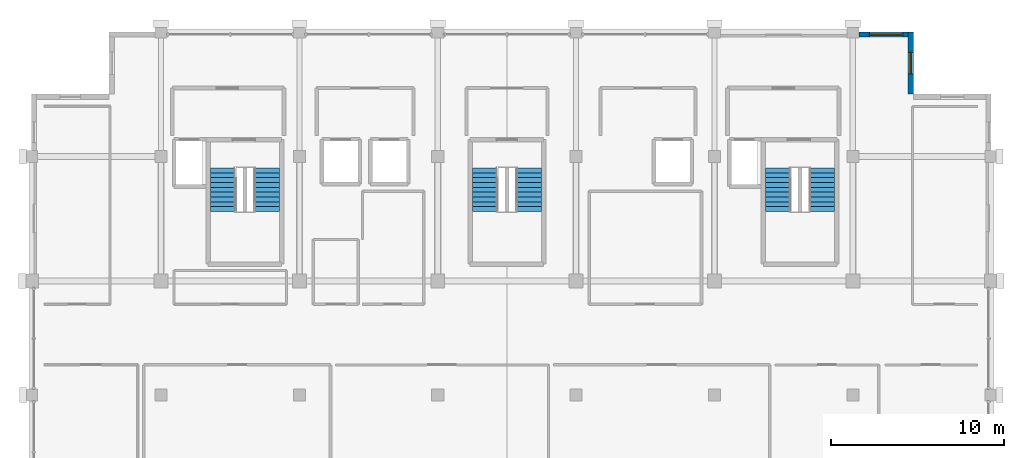
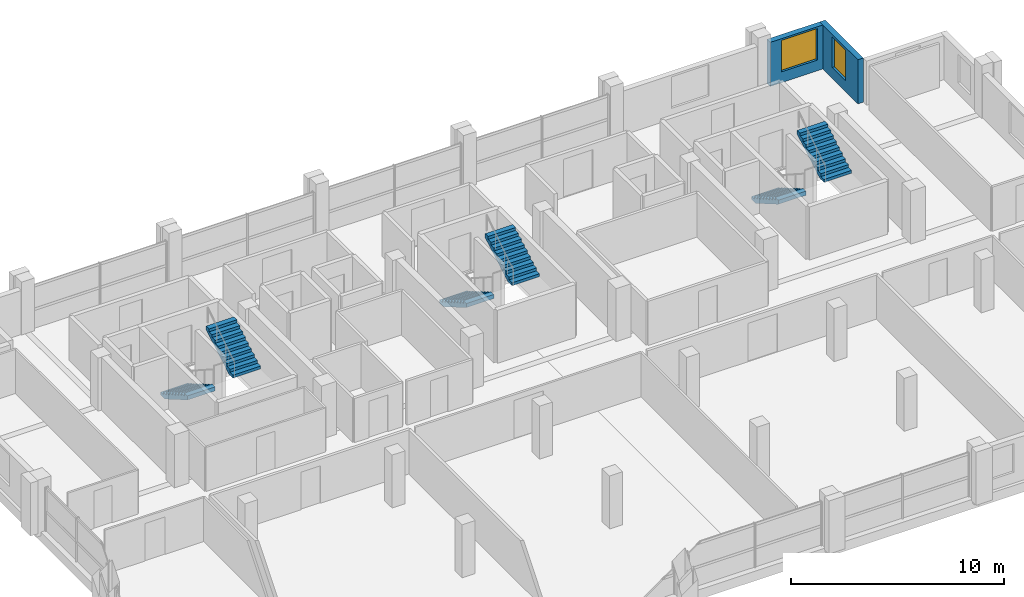
# One storey, part 23 of 24: 6 stair flights, 2 walls, 2 windows, 2 openings, 3 elements without a shape of their own.
"""IFC4 building model written with IfcOpenShell, lengths in metres."""

from ifc_helpers import new_model, si_unit, direction, frame, frame_2d, origin, place, context, subcontext, project, spatial, polyline, rectangle, outline, extrude, material, layer, layer_set, type_object, element, fill, aggregate, save


model = new_model("IFC4")

# Units and contexts
model_context = context("Model", 3, precision=1e-05, world=origin(), true_north=direction((0.0, 1.0)))
body_context = subcontext(model_context, "Body", "Model", "MODEL_VIEW")
ifc_project = project(units=[si_unit("LENGTHUNIT", "METRE"), si_unit("AREAUNIT", "SQUARE_METRE"), si_unit("VOLUMEUNIT", "CUBIC_METRE"), si_unit("PLANEANGLEUNIT", "RADIAN"), si_unit("MASSUNIT", "GRAM", prefix="KILO")], contexts=[model_context])

# Site, building, storey
site_placement = place(None, origin())
site = spatial("IfcSite", under=ifc_project, at=site_placement, CompositionType="ELEMENT")
building_placement = place(site_placement, origin())
building = spatial("IfcBuilding", under=site, at=building_placement, Name="Akrevak Sports Hall", CompositionType="ELEMENT")
storey_placement = place(building_placement, frame((0.0, 0.0, 60.050048828125)))
storey = spatial("IfcBuildingStorey", under=building, at=storey_placement, Name="L15", CompositionType="ELEMENT", Elevation=60.050048828125)

# Wall, opening, window
ifc_material_1 = material(Name="Limestone Ashlar", Category="stone")
ifc_layer_1 = layer(ifc_material_1, 0.06005859375, Name="Limestone Ashlar")
ifc_material_2 = material(Name="Mineral Wool Thermal Insulation", Category="insulation")
ifc_layer_2 = layer(ifc_material_2, 0.090087890625, Name="Mineral Wool Thermal Insulation")
ifc_material_3 = material(Name="Concrete C40/50", Category="concrete")
ifc_layer_3 = layer(ifc_material_3, 0.14990234375, Name="Concrete C40/50")
ifc_layer_set = layer_set([ifc_layer_1, ifc_layer_2, ifc_layer_3], Name="Limestone Ashlar / Mineral Wool Thermal Insulation / Concrete C40/50")
wall_type = type_object("IfcWallType", Name="ARC-WL-EXT-300", PredefinedType="SOLIDWALL", material=ifc_layer_set)
wall_1_placement = place(storey_placement, frame((103.35009765625, 66.0, 0.0), z_axis=(0.0, 0.0, 1.0), x_axis=(0.0, 1.0, 0.0)))
wall_1 = element("IfcWall", 1, at=wall_1_placement, inside=storey, type_object=wall_type, Name="Tower Stone Facade Wall L15-E16", PredefinedType="SOLIDWALL", context=body_context, shape_type="SweptSolid", body=[
    extrude(rectangle(XDim=3.60009765625, YDim=0.300048828125, at=frame_2d((1.800048828125, 0.0))), origin(), (0.0, 0.0, 1.0), 2.530029296875),
])
opening_1_placement = place(wall_1_placement, frame((1.175048828125, 0.0, 0.6201171875)))
opening_1 = element("IfcOpeningElement", 2, at=opening_1_placement, cuts=wall_1, Name="Opening WN-20", PredefinedType="OPENING", context=body_context, shape_type="SweptSolid", body=[
    extrude(rectangle(XDim=1.25, YDim=1.75, at=frame_2d((0.625, 0.875))), frame((0.0, 0.162109375, 0.0), z_axis=(0.0, -1.0, 0.0), x_axis=(1.0, 0.0, 0.0)), (0.0, 0.0, 1.0), 0.323974609375),
])
ifc_material_4 = material(Name="Thermally Broken Bronze Frame & Double Low-E Glass", Category="glass")
window_type_1 = type_object("IfcWindowType", Name="ARC-WIN-TW-125x175", PartitioningType="SINGLE_PANEL", PredefinedType="WINDOW", material=ifc_material_4)
window_1_placement = place(opening_1_placement, origin())
window_1 = element("IfcWindow", 3, at=window_1_placement, inside=storey, type_object=window_type_1, Name="Tower Window L15-E16", OverallHeight=1.75, OverallWidth=1.25, PartitioningType="SINGLE_PANEL", PredefinedType="WINDOW", context=body_context, shape_type="SweptSolid", body=[
    extrude(rectangle(XDim=1.25, YDim=1.75, at=frame_2d((0.625, 0.875))), frame((0.0, 0.030029296875, 0.0), z_axis=(0.0, -1.0, 0.0), x_axis=(1.0, 0.0, 0.0)), (0.0, 0.0, 1.0), 0.06005859375),
])
fill(opening_1, window_1)

wall_2_placement = place(storey_placement, frame((103.5, 69.449951171875, 0.0), z_axis=(0.0, 0.0, 1.0), x_axis=(-1.0, 0.0, 0.0)))
wall_2 = element("IfcWall", 4, at=wall_2_placement, inside=storey, type_object=wall_type, Name="Tower Stone Facade Wall L15-N17", PredefinedType="SOLIDWALL", context=body_context, shape_type="SweptSolid", body=[
    extrude(rectangle(XDim=3.14990234375, YDim=0.300048828125, at=frame_2d((1.574951171875, 0.0))), origin(), (0.0, 0.0, 1.0), 2.530029296875),
])
opening_2_placement = place(wall_2_placement, frame((0.60009765625, 0.0, 0.6201171875)))
opening_2 = element("IfcOpeningElement", 5, at=opening_2_placement, cuts=wall_2, Name="Opening WN-52", PredefinedType="OPENING", context=body_context, shape_type="SweptSolid", body=[
    extrude(rectangle(XDim=1.949951171875, YDim=1.81005859375, at=frame_2d((0.97509765625, 0.905029296875))), frame((0.0, 0.162109375, 0.0), z_axis=(0.0, -1.0, 0.0), x_axis=(1.0, 0.0, 0.0)), (0.0, 0.0, 1.0), 0.323974609375),
])
window_type_2 = type_object("IfcWindowType", Name="ARC-WIN-SZ-1950x1810", PartitioningType="SINGLE_PANEL", PredefinedType="WINDOW", material=ifc_material_4)
window_2_placement = place(opening_2_placement, origin())
window_2 = element("IfcWindow", 6, at=window_2_placement, inside=storey, type_object=window_type_2, Name="Tower Window L15-N17", OverallHeight=1.81005859375, OverallWidth=1.949951171875, PartitioningType="SINGLE_PANEL", PredefinedType="WINDOW", context=body_context, shape_type="SweptSolid", body=[
    extrude(rectangle(XDim=1.949951171875, YDim=1.81005859375, at=frame_2d((0.97509765625, 0.905029296875))), frame((0.0, 0.030029296875, 0.0), z_axis=(0.0, -1.0, 0.0), x_axis=(1.0, 0.0, 0.0)), (0.0, 0.0, 1.0), 0.06005859375),
])
fill(opening_2, window_2)

# Stair, stair flights
stair_type = type_object("IfcStairType", Name="ARC-STR-DOG-325", PredefinedType="HALF_TURN_STAIR", material=ifc_material_3)
stair_1_placement = place(storey_placement, origin())
stair_1 = element("IfcStair", 7, at=stair_1_placement, inside=storey, type_object=stair_type, Name="Protected Exit Stair ST1 (L15 to L16)", PredefinedType="HALF_TURN_STAIR")
stair_flight_type = type_object("IfcStairFlightType", Name="ARC-FLT-165-163", PredefinedType="STRAIGHT", material=ifc_material_3)
stair_flight_1_placement = place(storey_placement, frame((63.610107421875, 61.735107421875, 0.0), z_axis=(0.0, 0.0, 1.0), x_axis=(0.0, -1.0, 0.0)))
stair_flight_1 = element("IfcStairFlight", 8, at=stair_flight_1_placement, type_object=stair_flight_type, Name="Stair ST1 Flight 1 (L15)", NumberOfRisers=10, NumberOfTreads=9, PredefinedType="STRAIGHT", RiserHeight=0.1625, TreadLength=0.28, context=body_context, shape_type="SweptSolid", body=[
    extrude(outline(polyline([(0.0, 0.0), (0.0, 0.16259765625), (0.280029296875, 0.16259765625), (0.280029296875, 0.324951171875), (0.56005859375, 0.324951171875), (0.56005859375, 0.487548828125), (0.840087890625, 0.487548828125), (0.840087890625, 0.64990234375), (1.1201171875, 0.64990234375), (1.1201171875, 0.8125), (1.39990234375, 0.8125), (1.39990234375, 0.97509765625), (1.679931640625, 0.97509765625), (1.679931640625, 1.137451171875), (1.9599609375, 1.137451171875), (1.9599609375, 1.300048828125), (2.239990234375, 1.300048828125), (2.239990234375, 1.46240234375), (2.52001953125, 1.46240234375), (2.52001953125, 1.625), (2.52001953125, 1.231201171875), (0.3984375, 0.0), (0.0, 0.0)])), frame((0.0, 0.75, 0.0), z_axis=(0.0, -1.0, 0.0), x_axis=(1.0, 0.0, 0.0)), (0.0, 0.0, 1.0), 1.5),
])
stair_flight_2_placement = place(storey_placement, frame((66.090087890625, 59.215087890625, 1.625), z_axis=(0.0, 0.0, 1.0), x_axis=(0.0, 1.0, 0.0)))
stair_flight_2 = element("IfcStairFlight", 9, at=stair_flight_2_placement, type_object=stair_flight_type, Name="Stair ST1 Flight 2 (L15)", NumberOfRisers=10, NumberOfTreads=9, PredefinedType="STRAIGHT", RiserHeight=0.1625, TreadLength=0.28, context=body_context, shape_type="SweptSolid", body=[
    extrude(outline(polyline([(0.0, 0.0), (0.0, 0.16259765625), (0.280029296875, 0.16259765625), (0.280029296875, 0.324951171875), (0.56005859375, 0.324951171875), (0.56005859375, 0.487548828125), (0.840087890625, 0.487548828125), (0.840087890625, 0.64990234375), (1.1201171875, 0.64990234375), (1.1201171875, 0.8125), (1.39990234375, 0.8125), (1.39990234375, 0.97509765625), (1.679931640625, 0.97509765625), (1.679931640625, 1.137451171875), (1.9599609375, 1.137451171875), (1.9599609375, 1.300048828125), (2.239990234375, 1.300048828125), (2.239990234375, 1.46240234375), (2.52001953125, 1.46240234375), (2.52001953125, 1.625), (2.52001953125, 1.231201171875), (0.3984375, 0.0), (0.0, 0.0)])), frame((0.0, 0.75, 0.0), z_axis=(0.0, -1.0, 0.0), x_axis=(1.0, 0.0, 0.0)), (0.0, 0.0, 1.0), 1.5),
])
aggregate(stair_1, [stair_flight_1, stair_flight_2])

stair_2_placement = place(storey_placement, origin())
stair_2 = element("IfcStair", 10, at=stair_2_placement, inside=storey, type_object=stair_type, Name="Protected Exit Stair ST2 (L15 to L16)", PredefinedType="HALF_TURN_STAIR")
stair_flight_3_placement = place(storey_placement, frame((95.7099609375, 61.735107421875, 0.0), z_axis=(0.0, 0.0, 1.0), x_axis=(0.0, -1.0, 0.0)))
stair_flight_3 = element("IfcStairFlight", 11, at=stair_flight_3_placement, type_object=stair_flight_type, Name="Stair ST2 Flight 1 (L15)", NumberOfRisers=10, NumberOfTreads=9, PredefinedType="STRAIGHT", RiserHeight=0.1625, TreadLength=0.28, context=body_context, shape_type="SweptSolid", body=[
    extrude(outline(polyline([(0.0, 0.0), (0.0, 0.16259765625), (0.280029296875, 0.16259765625), (0.280029296875, 0.324951171875), (0.56005859375, 0.324951171875), (0.56005859375, 0.487548828125), (0.840087890625, 0.487548828125), (0.840087890625, 0.64990234375), (1.1201171875, 0.64990234375), (1.1201171875, 0.8125), (1.39990234375, 0.8125), (1.39990234375, 0.97509765625), (1.679931640625, 0.97509765625), (1.679931640625, 1.137451171875), (1.9599609375, 1.137451171875), (1.9599609375, 1.300048828125), (2.239990234375, 1.300048828125), (2.239990234375, 1.46240234375), (2.52001953125, 1.46240234375), (2.52001953125, 1.625), (2.52001953125, 1.231201171875), (0.3984375, 0.0), (0.0, 0.0)])), frame((0.0, 0.75, 0.0), z_axis=(0.0, -1.0, 0.0), x_axis=(1.0, 0.0, 0.0)), (0.0, 0.0, 1.0), 1.5),
])
stair_flight_4_placement = place(storey_placement, frame((98.18994140625, 59.215087890625, 1.625), z_axis=(0.0, 0.0, 1.0), x_axis=(0.0, 1.0, 0.0)))
stair_flight_4 = element("IfcStairFlight", 12, at=stair_flight_4_placement, type_object=stair_flight_type, Name="Stair ST2 Flight 2 (L15)", NumberOfRisers=10, NumberOfTreads=9, PredefinedType="STRAIGHT", RiserHeight=0.1625, TreadLength=0.28, context=body_context, shape_type="SweptSolid", body=[
    extrude(outline(polyline([(0.0, 0.0), (0.0, 0.16259765625), (0.280029296875, 0.16259765625), (0.280029296875, 0.324951171875), (0.56005859375, 0.324951171875), (0.56005859375, 0.487548828125), (0.840087890625, 0.487548828125), (0.840087890625, 0.64990234375), (1.1201171875, 0.64990234375), (1.1201171875, 0.8125), (1.39990234375, 0.8125), (1.39990234375, 0.97509765625), (1.679931640625, 0.97509765625), (1.679931640625, 1.137451171875), (1.9599609375, 1.137451171875), (1.9599609375, 1.300048828125), (2.239990234375, 1.300048828125), (2.239990234375, 1.46240234375), (2.52001953125, 1.46240234375), (2.52001953125, 1.625), (2.52001953125, 1.231201171875), (0.3984375, 0.0), (0.0, 0.0)])), frame((0.0, 0.75, 0.0), z_axis=(0.0, -1.0, 0.0), x_axis=(1.0, 0.0, 0.0)), (0.0, 0.0, 1.0), 1.5),
])
aggregate(stair_2, [stair_flight_3, stair_flight_4])

stair_3_placement = place(storey_placement, origin())
stair_3 = element("IfcStair", 13, at=stair_3_placement, inside=storey, type_object=stair_type, Name="Protected Exit Stair ST3 (L15 to L16)", PredefinedType="HALF_TURN_STAIR")
stair_flight_5_placement = place(storey_placement, frame((78.760009765625, 61.735107421875, 0.0), z_axis=(0.0, 0.0, 1.0), x_axis=(0.0, -1.0, 0.0)))
stair_flight_5 = element("IfcStairFlight", 14, at=stair_flight_5_placement, type_object=stair_flight_type, Name="Stair ST3 Flight 1 (L15)", NumberOfRisers=10, NumberOfTreads=9, PredefinedType="STRAIGHT", RiserHeight=0.1625, TreadLength=0.28, context=body_context, shape_type="SweptSolid", body=[
    extrude(outline(polyline([(0.0, 0.0), (0.0, 0.16259765625), (0.280029296875, 0.16259765625), (0.280029296875, 0.324951171875), (0.56005859375, 0.324951171875), (0.56005859375, 0.487548828125), (0.840087890625, 0.487548828125), (0.840087890625, 0.64990234375), (1.1201171875, 0.64990234375), (1.1201171875, 0.8125), (1.39990234375, 0.8125), (1.39990234375, 0.97509765625), (1.679931640625, 0.97509765625), (1.679931640625, 1.137451171875), (1.9599609375, 1.137451171875), (1.9599609375, 1.300048828125), (2.239990234375, 1.300048828125), (2.239990234375, 1.46240234375), (2.52001953125, 1.46240234375), (2.52001953125, 1.625), (2.52001953125, 1.231201171875), (0.3984375, 0.0), (0.0, 0.0)])), frame((0.0, 0.75, 0.0), z_axis=(0.0, -1.0, 0.0), x_axis=(1.0, 0.0, 0.0)), (0.0, 0.0, 1.0), 1.5),
])
stair_flight_6_placement = place(storey_placement, frame((81.239990234375, 59.215087890625, 1.625), z_axis=(0.0, 0.0, 1.0), x_axis=(0.0, 1.0, 0.0)))
stair_flight_6 = element("IfcStairFlight", 15, at=stair_flight_6_placement, type_object=stair_flight_type, Name="Stair ST3 Flight 2 (L15)", NumberOfRisers=10, NumberOfTreads=9, PredefinedType="STRAIGHT", RiserHeight=0.1625, TreadLength=0.28, context=body_context, shape_type="SweptSolid", body=[
    extrude(outline(polyline([(0.0, 0.0), (0.0, 0.16259765625), (0.280029296875, 0.16259765625), (0.280029296875, 0.324951171875), (0.56005859375, 0.324951171875), (0.56005859375, 0.487548828125), (0.840087890625, 0.487548828125), (0.840087890625, 0.64990234375), (1.1201171875, 0.64990234375), (1.1201171875, 0.8125), (1.39990234375, 0.8125), (1.39990234375, 0.97509765625), (1.679931640625, 0.97509765625), (1.679931640625, 1.137451171875), (1.9599609375, 1.137451171875), (1.9599609375, 1.300048828125), (2.239990234375, 1.300048828125), (2.239990234375, 1.46240234375), (2.52001953125, 1.46240234375), (2.52001953125, 1.625), (2.52001953125, 1.231201171875), (0.3984375, 0.0), (0.0, 0.0)])), frame((0.0, 0.75, 0.0), z_axis=(0.0, -1.0, 0.0), x_axis=(1.0, 0.0, 0.0)), (0.0, 0.0, 1.0), 1.5),
])
aggregate(stair_3, [stair_flight_5, stair_flight_6])

save(model, "model.ifc")
